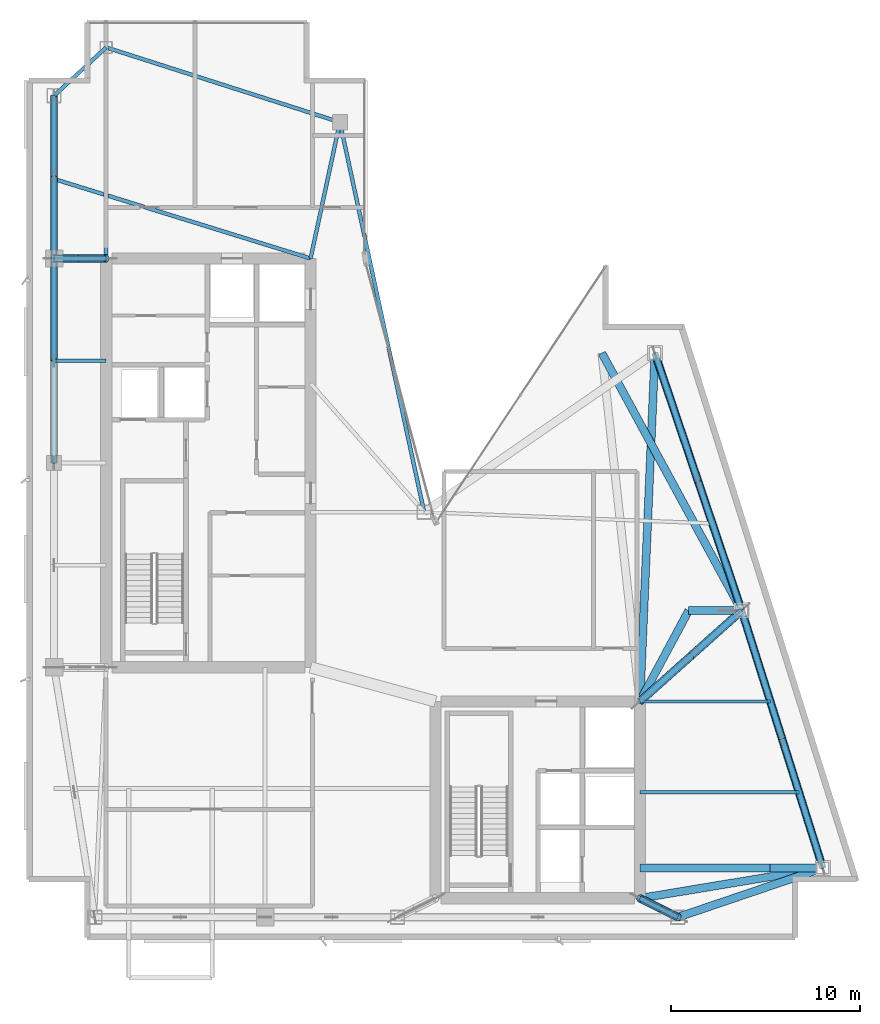
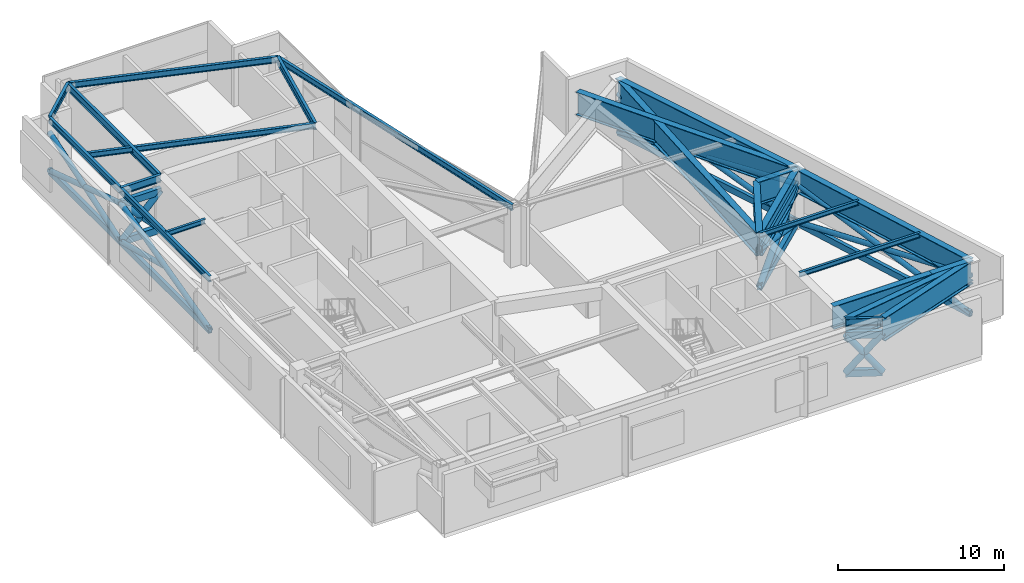
# One storey, part 5 of 15: 30 members, 24 beams.
"""IFC4 building model written with IfcOpenShell, lengths in metres."""

from ifc_helpers import new_model, si_unit, direction, frame, origin, origin_2d, place, context, subcontext, project, spatial, hollow_rectangle, hollow_circle, i_section, extrude, material, material_profile, profile_set, type_object, element, save


model = new_model("IFC4")

# Units and contexts
model_context = context("Model", 3, precision=1e-05, world=origin(), true_north=direction((0.0, 1.0)))
body_context = subcontext(model_context, "Body", "Model", "MODEL_VIEW")
ifc_project = project(units=[si_unit("LENGTHUNIT", "METRE"), si_unit("AREAUNIT", "SQUARE_METRE"), si_unit("VOLUMEUNIT", "CUBIC_METRE"), si_unit("PLANEANGLEUNIT", "RADIAN"), si_unit("MASSUNIT", "GRAM", prefix="KILO")], contexts=[model_context])

# Site, building, storey
site_placement = place(None, origin())
site = spatial("IfcSite", under=ifc_project, at=site_placement, CompositionType="ELEMENT")
building_placement = place(site_placement, origin())
building = spatial("IfcBuilding", under=site, at=building_placement, Name="Calvorn Quay Hotel", CompositionType="ELEMENT")
storey_placement = place(building_placement, frame((0.0, 0.0, 282.5)))
storey = spatial("IfcBuildingStorey", under=building, at=storey_placement, Name="L70", CompositionType="ELEMENT", Elevation=282.5)

# Beams
ifc_material_1 = material(Name="Steel Q355B", Category="steel")
ifc_material_profile_1 = material_profile(ifc_material_1, i_section(OverallWidth=0.199951171875, OverallDepth=0.550048828125, WebThickness=0.010009765625, FlangeThickness=0.01611328125, FilletRadius=0.01806640625, at=origin_2d()), Name="HN550x200x10x16")
ifc_profile_set_1 = profile_set([ifc_material_profile_1], Name="Steel Q355B")
beam_type_1 = type_object("IfcBeamType", Name="BM-GIRD-UPP", PredefinedType="BEAM", material=ifc_profile_set_1)
beam_1_placement = place(storey_placement, frame((1.449951171875, 38.39990234375, 4.074951171875), z_axis=(1.0, 0.0, 0.0), x_axis=(0.0, 1.0, 0.0)))
element("IfcBeam", 1, at=beam_1_placement, inside=storey, type_object=beam_type_1, Name="Beam BG-L70-W3", PredefinedType="BEAM", context=body_context, shape_type="SweptSolid", body=[
    extrude(i_section(OverallWidth=0.199951171875, OverallDepth=0.550048828125, WebThickness=0.010009765625, FlangeThickness=0.01611328125, FilletRadius=0.01806640625, at=origin_2d()), origin(), (0.0, 0.0, 1.0), 2.75),
])
beam_2_placement = place(storey_placement, frame((4.199951171875, 49.550048828125, 4.074951171875), z_axis=(0.0, -1.0, 0.0), x_axis=(1.0, 0.0, 0.0)))
element("IfcBeam", 2, at=beam_2_placement, inside=storey, type_object=beam_type_1, Name="Beam BG-L70-W5", PredefinedType="BEAM", context=body_context, shape_type="SweptSolid", body=[
    extrude(i_section(OverallWidth=0.199951171875, OverallDepth=0.550048828125, WebThickness=0.010009765625, FlangeThickness=0.01611328125, FilletRadius=0.01806640625, at=origin_2d()), origin(), (0.0, 0.0, 1.0), 11.150146484375),
])
beam_3_placement = place(storey_placement, frame((16.550048828125, 45.60009765625, 4.074951171875), z_axis=(-0.210457140491, -0.97760308511, 0.0), x_axis=(0.97760308511, -0.210457140491, 0.0)))
element("IfcBeam", 3, at=beam_3_placement, inside=storey, type_object=beam_type_1, Name="Beam BG-L70-W6", PredefinedType="BEAM", context=body_context, shape_type="SweptSolid", body=[
    extrude(i_section(OverallWidth=0.199951171875, OverallDepth=0.550048828125, WebThickness=0.010009765625, FlangeThickness=0.01611328125, FilletRadius=0.01806640625, at=origin_2d()), origin(), (0.0, 0.0, 1.0), 7.365234375),
])
beam_4_placement = place(storey_placement, frame((34.39990234375, 3.60009765625, 4.074951171875), z_axis=(-0.894427191, 0.4472135955, 0.0), x_axis=(-0.4472135955, -0.894427191, 0.0)))
element("IfcBeam", 4, at=beam_4_placement, inside=storey, type_object=beam_type_1, Name="Beam BG-L70-S3", PredefinedType="BEAM", context=body_context, shape_type="SweptSolid", body=[
    extrude(i_section(OverallWidth=0.199951171875, OverallDepth=0.550048828125, WebThickness=0.010009765625, FlangeThickness=0.01611328125, FilletRadius=0.01806640625, at=origin_2d()), origin(), (0.0, 0.0, 1.0), 2.236083984375),
])
ifc_material_2 = material(Name="Steel Q355B", Category="steel")
ifc_material_profile_2 = material_profile(ifc_material_2, i_section(OverallWidth=0.175048828125, OverallDepth=0.35009765625, WebThickness=0.007080078125, FlangeThickness=0.010986328125, FilletRadius=0.013916015625, at=origin_2d()), Name="HN350x175x7x11")
ifc_profile_set_2 = profile_set([ifc_material_profile_2], Name="Steel Q355B")
beam_type_2 = type_object("IfcBeamType", Name="BM-JOIST-SEC", PredefinedType="JOIST", material=ifc_profile_set_2)
beam_5_placement = place(storey_placement, frame((1.449951171875, 33.0, 4.175048828125), z_axis=(1.0, 0.0, 0.0), x_axis=(0.0, 1.0, 0.0)))
element("IfcBeam", 5, at=beam_5_placement, inside=storey, type_object=beam_type_2, Name="Beam BJ-L70-W4", PredefinedType="JOIST", context=body_context, shape_type="SweptSolid", body=[
    extrude(i_section(OverallWidth=0.175048828125, OverallDepth=0.35009765625, WebThickness=0.007080078125, FlangeThickness=0.010986328125, FilletRadius=0.013916015625, at=origin_2d()), origin(), (0.0, 0.0, 1.0), 2.75),
])
beam_6_placement = place(storey_placement, frame((32.39990234375, 10.199951171875, 4.175048828125), z_axis=(1.0, 0.0, 0.0), x_axis=(0.0, 1.0, 0.0)))
element("IfcBeam", 6, at=beam_6_placement, inside=storey, type_object=beam_type_2, Name="Beam BJ-L70-E1", PredefinedType="JOIST", context=body_context, shape_type="SweptSolid", body=[
    extrude(i_section(OverallWidth=0.175048828125, OverallDepth=0.35009765625, WebThickness=0.007080078125, FlangeThickness=0.010986328125, FilletRadius=0.013916015625, at=origin_2d()), origin(), (0.0, 0.0, 1.0), 8.401123046875),
])
beam_7_placement = place(storey_placement, frame((32.39990234375, 15.0, 4.175048828125), z_axis=(1.0, 0.0, 0.0), x_axis=(0.0, 1.0, 0.0)))
element("IfcBeam", 7, at=beam_7_placement, inside=storey, type_object=beam_type_2, Name="Beam BJ-L70-E2", PredefinedType="JOIST", context=body_context, shape_type="SweptSolid", body=[
    extrude(i_section(OverallWidth=0.175048828125, OverallDepth=0.35009765625, WebThickness=0.007080078125, FlangeThickness=0.010986328125, FilletRadius=0.013916015625, at=origin_2d()), origin(), (0.0, 0.0, 1.0), 6.88818359375),
])
ifc_material_3 = material(Name="Steel Q355B", Category="steel")
ifc_material_profile_3 = material_profile(ifc_material_3, i_section(OverallWidth=0.199951171875, OverallDepth=0.39990234375, WebThickness=0.008056640625, FlangeThickness=0.012939453125, FilletRadius=0.01611328125, at=origin_2d()), Name="HN400x200x8x13")
ifc_profile_set_3 = profile_set([ifc_material_profile_3], Name="Steel Q355B")
beam_type_3 = type_object("IfcBeamType", Name="BM-JOIST-TYP", PredefinedType="JOIST", material=ifc_profile_set_3)
beam_8_placement = place(storey_placement, frame((1.449951171875, 42.60009765625, 4.14990234375), z_axis=(0.955163702122, -0.296078202759, 0.0), x_axis=(0.296078202759, 0.955163702122, 0.0)))
element("IfcBeam", 8, at=beam_8_placement, inside=storey, type_object=beam_type_3, Name="Beam BJ-L70-W2", PredefinedType="JOIST", context=body_context, shape_type="SweptSolid", body=[
    extrude(i_section(OverallWidth=0.199951171875, OverallDepth=0.39990234375, WebThickness=0.008056640625, FlangeThickness=0.012939453125, FilletRadius=0.01611328125, at=origin_2d()), origin(), (0.0, 0.0, 1.0), 14.18603515625),
])
ifc_material_4 = material(Name="Steel Q355B", Category="steel")
ifc_material_profile_4 = material_profile(ifc_material_4, i_section(OverallWidth=0.199951171875, OverallDepth=0.449951171875, WebThickness=0.009033203125, FlangeThickness=0.013916015625, FilletRadius=0.01611328125, at=origin_2d()), Name="HN450x200x9x14")
ifc_profile_set_4 = profile_set([ifc_material_profile_4], Name="Steel Q355B")
beam_type_4 = type_object("IfcBeamType", Name="BM-SPANDREL-Z3", PredefinedType="SPANDREL", material=ifc_profile_set_4)
beam_9_placement = place(storey_placement, frame((1.449951171875, 27.60009765625, 4.125), z_axis=(0.0, 1.0, 0.0), x_axis=(-1.0, 0.0, 0.0)))
element("IfcBeam", 9, at=beam_9_placement, inside=storey, type_object=beam_type_4, Name="Beam BSP-L70-W3", PredefinedType="SPANDREL", context=body_context, shape_type="SweptSolid", body=[
    extrude(i_section(OverallWidth=0.199951171875, OverallDepth=0.449951171875, WebThickness=0.009033203125, FlangeThickness=0.013916015625, FilletRadius=0.01611328125, at=origin_2d()), origin(), (0.0, 0.0, 1.0), 10.7998046875),
])
beam_10_placement = place(storey_placement, frame((1.449951171875, 38.39990234375, 4.125), z_axis=(0.0, 1.0, 0.0), x_axis=(-1.0, 0.0, 0.0)))
element("IfcBeam", 10, at=beam_10_placement, inside=storey, type_object=beam_type_4, Name="Beam BSP-L70-W4", PredefinedType="SPANDREL", context=body_context, shape_type="SweptSolid", body=[
    extrude(i_section(OverallWidth=0.199951171875, OverallDepth=0.449951171875, WebThickness=0.009033203125, FlangeThickness=0.013916015625, FilletRadius=0.01611328125, at=origin_2d()), origin(), (0.0, 0.0, 1.0), 8.60009765625),
])
beam_11_placement = place(storey_placement, frame((1.449951171875, 47.0, 4.125), z_axis=(0.733261665538, 0.679946563969, 0.0), x_axis=(-0.679946563969, 0.733261665538, 0.0)))
element("IfcBeam", 11, at=beam_11_placement, inside=storey, type_object=beam_type_4, Name="Beam BSP-L70-W5", PredefinedType="SPANDREL", context=body_context, shape_type="SweptSolid", body=[
    extrude(i_section(OverallWidth=0.199951171875, OverallDepth=0.449951171875, WebThickness=0.009033203125, FlangeThickness=0.013916015625, FilletRadius=0.01611328125, at=origin_2d()), origin(), (0.0, 0.0, 1.0), 3.75048828125),
])
beam_12_placement = place(storey_placement, frame((4.199951171875, 49.550048828125, 4.125), z_axis=(0.952470702374, -0.304630203885, 0.0), x_axis=(0.304630203885, 0.952470702374, 0.0)))
element("IfcBeam", 12, at=beam_12_placement, inside=storey, type_object=beam_type_4, Name="Beam BSP-L70-W6", PredefinedType="SPANDREL", context=body_context, shape_type="SweptSolid", body=[
    extrude(i_section(OverallWidth=0.199951171875, OverallDepth=0.449951171875, WebThickness=0.009033203125, FlangeThickness=0.013916015625, FilletRadius=0.01611328125, at=origin_2d()), origin(), (0.0, 0.0, 1.0), 12.96630859375),
])
beam_13_placement = place(storey_placement, frame((16.550048828125, 45.60009765625, 4.125), z_axis=(0.211145848376, -0.977454567084, 0.0), x_axis=(0.977454567084, 0.211145848376, 0.0)))
element("IfcBeam", 13, at=beam_13_placement, inside=storey, type_object=beam_type_4, Name="Beam BSP-L70-W7", PredefinedType="SPANDREL", context=body_context, shape_type="SweptSolid", body=[
    extrude(i_section(OverallWidth=0.199951171875, OverallDepth=0.449951171875, WebThickness=0.009033203125, FlangeThickness=0.013916015625, FilletRadius=0.01611328125, at=origin_2d()), origin(), (0.0, 0.0, 1.0), 21.0751953125),
])
ifc_material_5 = material(Name="Steel Q420GJC", Category="steel")
ifc_material_profile_5 = material_profile(ifc_material_5, i_section(OverallWidth=0.419921875, OverallDepth=1.699951171875, WebThickness=0.02392578125, FlangeThickness=0.0419921875, FilletRadius=0.02392578125, at=origin_2d()), Name="HN1700x420x24x42")
ifc_profile_set_5 = profile_set([ifc_material_profile_5], Name="Steel Q420GJC")
beam_type_5 = type_object("IfcBeamType", Name="BM-XFER-SAWTOOTH", PredefinedType="BEAM", material=ifc_profile_set_5)
beam_14_placement = place(storey_placement, frame((32.39990234375, 6.199951171875, 3.5), z_axis=(1.0, 0.0, 0.0), x_axis=(0.0, 1.0, 0.0)))
element("IfcBeam", 14, at=beam_14_placement, inside=storey, type_object=beam_type_5, Name="Beam BTG-L70-C-ET1A", PredefinedType="BEAM", context=body_context, shape_type="SweptSolid", body=[
    extrude(i_section(OverallWidth=0.419921875, OverallDepth=1.699951171875, WebThickness=0.02392578125, FlangeThickness=0.0419921875, FilletRadius=0.02392578125, at=origin_2d()), origin(), (0.0, 0.0, 1.0), 6.861083984375),
])
beam_15_placement = place(storey_placement, frame((39.260986328125, 6.199951171875, 3.5), z_axis=(1.0, 0.0, 0.0), x_axis=(0.0, 1.0, 0.0)))
element("IfcBeam", 15, at=beam_15_placement, inside=storey, type_object=beam_type_5, Name="Beam BTG-L70-C-ET1B", PredefinedType="BEAM", context=body_context, shape_type="SweptSolid", body=[
    extrude(i_section(OverallWidth=0.419921875, OverallDepth=1.699951171875, WebThickness=0.02392578125, FlangeThickness=0.0419921875, FilletRadius=0.02392578125, at=origin_2d()), origin(), (0.0, 0.0, 1.0), 2.800048828125),
])
beam_16_placement = place(storey_placement, frame((32.39990234375, 15.0, 3.5), z_axis=(0.472894086188, 0.881119278672, 0.0), x_axis=(-0.881119278672, 0.472894086188, 0.0)))
element("IfcBeam", 16, at=beam_16_placement, inside=storey, type_object=beam_type_5, Name="Beam BTG-L70-C-ET2A", PredefinedType="BEAM", context=body_context, shape_type="SweptSolid", body=[
    extrude(i_section(OverallWidth=0.419921875, OverallDepth=1.699951171875, WebThickness=0.02392578125, FlangeThickness=0.0419921875, FilletRadius=0.02392578125, at=origin_2d()), origin(), (0.0, 0.0, 1.0), 5.44775390625),
])
beam_17_placement = place(storey_placement, frame((34.97607421875, 19.800048828125, 3.5), z_axis=(1.0, 0.0, 0.0), x_axis=(0.0, 1.0, 0.0)))
element("IfcBeam", 17, at=beam_17_placement, inside=storey, type_object=beam_type_5, Name="Beam BTG-L70-C-ET2B", PredefinedType="BEAM", context=body_context, shape_type="SweptSolid", body=[
    extrude(i_section(OverallWidth=0.419921875, OverallDepth=1.699951171875, WebThickness=0.02392578125, FlangeThickness=0.0419921875, FilletRadius=0.02392578125, at=origin_2d()), origin(), (0.0, 0.0, 1.0), 2.7998046875),
])
beam_18_placement = place(storey_placement, frame((30.39111328125, 33.39990234375, 3.5), z_axis=(0.477191081269, -0.878799563016, 0.0), x_axis=(0.878799563016, 0.477191081269, 0.0)))
element("IfcBeam", 18, at=beam_18_placement, inside=storey, type_object=beam_type_5, Name="Beam BTG-L70-C-ET3B", PredefinedType="BEAM", context=body_context, shape_type="SweptSolid", body=[
    extrude(i_section(OverallWidth=0.419921875, OverallDepth=1.699951171875, WebThickness=0.02392578125, FlangeThickness=0.0419921875, FilletRadius=0.02392578125, at=origin_2d()), origin(), (0.0, 0.0, 1.0), 15.4755859375),
])
beam_19_placement = place(storey_placement, frame((34.39990234375, 3.60009765625, 3.5), z_axis=(0.946958367473, 0.321356266897, 0.0), x_axis=(-0.321356266897, 0.946958367473, 0.0)))
element("IfcBeam", 19, at=beam_19_placement, inside=storey, type_object=beam_type_5, Name="Beam BSP-L70-S4", PredefinedType="BEAM", context=body_context, shape_type="SweptSolid", body=[
    extrude(i_section(OverallWidth=0.419921875, OverallDepth=1.699951171875, WebThickness=0.02392578125, FlangeThickness=0.0419921875, FilletRadius=0.02392578125, at=origin_2d()), origin(), (0.0, 0.0, 1.0), 8.09033203125),
])
beam_20_placement = place(storey_placement, frame((42.06103515625, 6.199951171875, 3.5), z_axis=(-0.300518378216, 0.953776024208, 0.0), x_axis=(-0.953776024208, -0.300518378216, 0.0)))
element("IfcBeam", 20, at=beam_20_placement, inside=storey, type_object=beam_type_5, Name="Beam BSP-L70-E1", PredefinedType="BEAM", context=body_context, shape_type="SweptSolid", body=[
    extrude(i_section(OverallWidth=0.419921875, OverallDepth=1.699951171875, WebThickness=0.02392578125, FlangeThickness=0.0419921875, FilletRadius=0.02392578125, at=origin_2d()), origin(), (0.0, 0.0, 1.0), 14.25927734375),
])
beam_21_placement = place(storey_placement, frame((37.77587890625, 19.800048828125, 3.5), z_axis=(-0.319466515944, 0.947597564998, 0.0), x_axis=(-0.947597564998, -0.319466515944, 0.0)))
element("IfcBeam", 21, at=beam_21_placement, inside=storey, type_object=beam_type_5, Name="Beam BSP-L70-E2", PredefinedType="BEAM", context=body_context, shape_type="SweptSolid", body=[
    extrude(i_section(OverallWidth=0.419921875, OverallDepth=1.699951171875, WebThickness=0.02392578125, FlangeThickness=0.0419921875, FilletRadius=0.02392578125, at=origin_2d()), origin(), (0.0, 0.0, 1.0), 14.35205078125),
])
beam_22_placement = place(storey_placement, frame((32.39990234375, 4.60009765625, 3.5), z_axis=(0.986564536395, 0.163372015743, 0.0), x_axis=(-0.163372015743, 0.986564536395, 0.0)))
element("IfcBeam", 22, at=beam_22_placement, inside=storey, type_object=beam_type_5, Name="Beam BTG-L70-01", PredefinedType="BEAM", context=body_context, shape_type="SweptSolid", body=[
    extrude(i_section(OverallWidth=0.419921875, OverallDepth=1.699951171875, WebThickness=0.02392578125, FlangeThickness=0.0419921875, FilletRadius=0.02392578125, at=origin_2d()), origin(), (0.0, 0.0, 1.0), 9.792724609375),
])
beam_23_placement = place(storey_placement, frame((32.39990234375, 15.0, 3.5), z_axis=(0.745932853197, 0.66602115471, 0.0), x_axis=(-0.66602115471, 0.745932853197, 0.0)))
element("IfcBeam", 23, at=beam_23_placement, inside=storey, type_object=beam_type_5, Name="Beam BTG-L70-02", PredefinedType="BEAM", context=body_context, shape_type="SweptSolid", body=[
    extrude(i_section(OverallWidth=0.419921875, OverallDepth=1.699951171875, WebThickness=0.02392578125, FlangeThickness=0.0419921875, FilletRadius=0.02392578125, at=origin_2d()), origin(), (0.0, 0.0, 1.0), 7.20703125),
])
beam_24_placement = place(storey_placement, frame((32.39990234375, 15.0, 3.5), z_axis=(0.042950536419, 0.999077199931, 0.0), x_axis=(-0.999077199931, 0.042950536419, 0.0)))
element("IfcBeam", 24, at=beam_24_placement, inside=storey, type_object=beam_type_5, Name="Beam BTG-L70-03", PredefinedType="BEAM", context=body_context, shape_type="SweptSolid", body=[
    extrude(i_section(OverallWidth=0.419921875, OverallDepth=1.699951171875, WebThickness=0.02392578125, FlangeThickness=0.0419921875, FilletRadius=0.02392578125, at=origin_2d()), origin(), (0.0, 0.0, 1.0), 18.4169921875),
])

# Members
ifc_material_6 = material(Name="Steel Q390GJC", Category="steel")
ifc_material_profile_6 = material_profile(ifc_material_6, hollow_rectangle(XDim=0.25, YDim=0.449951171875, WallThickness=0.01611328125, at=origin_2d()), Name="RHS450x250x16")
ifc_profile_set_6 = profile_set([ifc_material_profile_6], Name="Steel Q390GJC")
member_type_1 = type_object("IfcMemberType", Name="MEM-BELT-CHORD", PredefinedType="CHORD", material=ifc_profile_set_6)
member_1_placement = place(storey_placement, frame((1.449951171875, 27.60009765625, 0.35009765625), z_axis=(0.0, 1.0, 0.0), x_axis=(-1.0, 0.0, 0.0)))
element("IfcMember", 25, at=member_1_placement, inside=storey, type_object=member_type_1, Name="Belt Truss Chord L70-BW3", PredefinedType="CHORD", context=body_context, shape_type="SweptSolid", body=[
    extrude(hollow_rectangle(XDim=0.25, YDim=0.449951171875, WallThickness=0.01611328125, at=origin_2d()), origin(), (0.0, 0.0, 1.0), 10.7998046875),
])
member_2_placement = place(storey_placement, frame((1.449951171875, 38.39990234375, 0.35009765625), z_axis=(0.0, 1.0, 0.0), x_axis=(-1.0, 0.0, 0.0)))
element("IfcMember", 26, at=member_2_placement, inside=storey, type_object=member_type_1, Name="Belt Truss Chord L70-BW4", PredefinedType="CHORD", context=body_context, shape_type="SweptSolid", body=[
    extrude(hollow_rectangle(XDim=0.25, YDim=0.449951171875, WallThickness=0.01611328125, at=origin_2d()), origin(), (0.0, 0.0, 1.0), 8.60009765625),
])
member_3_placement = place(storey_placement, frame((42.06103515625, 6.199951171875, 0.35009765625), z_axis=(-0.300518378216, 0.953776024208, 0.0), x_axis=(-0.953776024208, -0.300518378216, 0.0)))
element("IfcMember", 27, at=member_3_placement, inside=storey, type_object=member_type_1, Name="Belt Truss Chord L70-BE1", PredefinedType="CHORD", context=body_context, shape_type="SweptSolid", body=[
    extrude(hollow_rectangle(XDim=0.25, YDim=0.449951171875, WallThickness=0.01611328125, at=origin_2d()), origin(), (0.0, 0.0, 1.0), 14.25927734375),
])
member_4_placement = place(storey_placement, frame((37.77587890625, 19.800048828125, 0.35009765625), z_axis=(-0.319466515944, 0.947597564998, 0.0), x_axis=(-0.947597564998, -0.319466515944, 0.0)))
element("IfcMember", 28, at=member_4_placement, inside=storey, type_object=member_type_1, Name="Belt Truss Chord L70-BE2", PredefinedType="CHORD", context=body_context, shape_type="SweptSolid", body=[
    extrude(hollow_rectangle(XDim=0.25, YDim=0.449951171875, WallThickness=0.01611328125, at=origin_2d()), origin(), (0.0, 0.0, 1.0), 14.35205078125),
])
ifc_material_7 = material(Name="Steel Q390GJC", Category="steel")
ifc_material_profile_7 = material_profile(ifc_material_7, hollow_circle(Radius=0.177978515625, WallThickness=0.013916015625, at=origin_2d()), Name="CHS356x14")
ifc_profile_set_7 = profile_set([ifc_material_profile_7], Name="Steel Q390GJC")
member_type_2 = type_object("IfcMemberType", Name="MEM-BELT-DIAG", PredefinedType="BRACE", material=ifc_profile_set_7)
member_5_placement = place(storey_placement, frame((1.449951171875, 27.60009765625, 0.35009765625), z_axis=(0.0, 0.968000048288, 0.250950007997), x_axis=(-1.0, 0.0, 0.0)))
element("IfcMember", 29, at=member_5_placement, inside=storey, type_object=member_type_2, Name="Belt Truss Continuous Brace L70-BW3A", PredefinedType="BRACE", context=body_context, shape_type="SweptSolid", body=[
    extrude(hollow_circle(Radius=0.177978515625, WallThickness=0.013916015625, at=origin_2d()), origin(), (0.0, 0.0, 1.0), 11.15673828125),
])
member_6_placement = place(storey_placement, frame((1.449951171875, 33.0, 1.75), z_axis=(0.0, 0.968000048288, -0.250950007997), x_axis=(-1.0, 0.0, 0.0)))
element("IfcMember", 30, at=member_6_placement, inside=storey, type_object=member_type_2, Name="Belt Truss Split Brace B2 L70-BW3", PredefinedType="BRACE", context=body_context, shape_type="SweptSolid", body=[
    extrude(hollow_circle(Radius=0.177978515625, WallThickness=0.013916015625, at=origin_2d()), origin(), (0.0, 0.0, 1.0), 5.578369140625),
])
member_7_placement = place(storey_placement, frame((1.449951171875, 38.39990234375, 0.35009765625), z_axis=(0.0, 0.950878823124, 0.309563343655), x_axis=(-1.0, 0.0, 0.0)))
element("IfcMember", 31, at=member_7_placement, inside=storey, type_object=member_type_2, Name="Belt Truss Continuous Brace L70-BW4A", PredefinedType="BRACE", context=body_context, shape_type="SweptSolid", body=[
    extrude(hollow_circle(Radius=0.177978515625, WallThickness=0.013916015625, at=origin_2d()), origin(), (0.0, 0.0, 1.0), 9.04443359375),
])
for number, where, z_axis, x_axis, name in (
    (32, (1.449951171875, 38.39990234375, 3.14990234375), (0.0, 0.950878823124, -0.309563343655), (-1.0, 0.0, 0.0), "Belt Truss Split Brace B1 L70-BW4"),
    (33, (1.449951171875, 42.699951171875, 1.75), (0.0, 0.950878823124, -0.309563343655), (-1.0, 0.0, 0.0), "Belt Truss Split Brace B2 L70-BW4"),
):
    element("IfcMember", number, at=place(storey_placement, frame(where, z_axis=z_axis, x_axis=x_axis)), inside=storey, type_object=member_type_2, Name=name, PredefinedType="BRACE", context=body_context, shape_type="SweptSolid", body=[
        extrude(hollow_circle(Radius=0.177978515625, WallThickness=0.013916015625, at=origin_2d()), origin(), (0.0, 0.0, 1.0), 4.522216796875),
    ])
member_8_placement = place(storey_placement, frame((42.06103515625, 6.199951171875, 0.35009765625), z_axis=(-0.294887655075, 0.935905407565, 0.192671583204), x_axis=(-0.953776024208, -0.300518378216, 0.0)))
element("IfcMember", 34, at=member_8_placement, inside=storey, type_object=member_type_2, Name="Belt Truss Continuous Brace L70-BE1A", PredefinedType="BRACE", context=body_context, shape_type="SweptSolid", body=[
    extrude(hollow_circle(Radius=0.177978515625, WallThickness=0.013916015625, at=origin_2d()), origin(), (0.0, 0.0, 1.0), 14.531494140625),
])
member_9_placement = place(storey_placement, frame((42.06103515625, 6.199951171875, 3.14990234375), z_axis=(-0.294826293953, 0.93592395321, -0.192675401131), x_axis=(-0.953795652648, -0.300456074977, 0.0)))
element("IfcMember", 35, at=member_9_placement, inside=storey, type_object=member_type_2, Name="Belt Truss Split Brace B1 L70-BE1", PredefinedType="BRACE", context=body_context, shape_type="SweptSolid", body=[
    extrude(hollow_circle(Radius=0.177978515625, WallThickness=0.013916015625, at=origin_2d()), origin(), (0.0, 0.0, 1.0), 7.265625),
])
member_10_placement = place(storey_placement, frame((39.9189453125, 13.0, 1.75), z_axis=(-0.294949012549, 0.935886858796, -0.192667764634), x_axis=(-0.953756392507, -0.300580677608, 0.0)))
element("IfcMember", 36, at=member_10_placement, inside=storey, type_object=member_type_2, Name="Belt Truss Split Brace B2 L70-BE1", PredefinedType="BRACE", context=body_context, shape_type="SweptSolid", body=[
    extrude(hollow_circle(Radius=0.177978515625, WallThickness=0.013916015625, at=origin_2d()), origin(), (0.0, 0.0, 1.0), 7.265869140625),
])
member_11_placement = place(storey_placement, frame((37.77587890625, 19.800048828125, 0.35009765625), z_axis=(-0.313555727851, 0.930065059634, 0.191472688338), x_axis=(-0.947597564998, -0.319466515944, 0.0)))
element("IfcMember", 37, at=member_11_placement, inside=storey, type_object=member_type_2, Name="Belt Truss Continuous Brace L70-BE2A", PredefinedType="BRACE", context=body_context, shape_type="SweptSolid", body=[
    extrude(hollow_circle(Radius=0.177978515625, WallThickness=0.013916015625, at=origin_2d()), origin(), (0.0, 0.0, 1.0), 14.62255859375),
])
for number, where, z_axis, x_axis, name in (
    (38, (37.77587890625, 19.800048828125, 3.14990234375), (-0.313490638761, 0.930086787539, -0.191473724186), (-0.947619897594, -0.319400265631, 0.0), "Belt Truss Split Brace B1 L70-BE2"),
    (39, (35.48388671875, 26.60009765625, 1.75), (-0.313620814759, 0.930043327584, -0.1914716516), (-0.947575228022, -0.319532763952, 0.0), "Belt Truss Split Brace B2 L70-BE2"),
):
    element("IfcMember", number, at=place(storey_placement, frame(where, z_axis=z_axis, x_axis=x_axis)), inside=storey, type_object=member_type_2, Name=name, PredefinedType="BRACE", context=body_context, shape_type="SweptSolid", body=[
        extrude(hollow_circle(Radius=0.177978515625, WallThickness=0.013916015625, at=origin_2d()), origin(), (0.0, 0.0, 1.0), 7.311279296875),
    ])
ifc_material_8 = material(Name="Steel Q390GJC", Category="steel")
ifc_material_profile_8 = material_profile(ifc_material_8, hollow_rectangle(XDim=0.300048828125, YDim=0.5, WallThickness=0.02001953125, at=origin_2d()), Name="RHS500x300x20")
ifc_profile_set_8 = profile_set([ifc_material_profile_8], Name="Steel Q390GJC")
member_type_3 = type_object("IfcMemberType", Name="MEM-OUTRIGGER-CHORD", PredefinedType="CHORD", material=ifc_profile_set_8)
for number, where, z_axis, x_axis, name in (
    (40, (4.199951171875, 38.39990234375, 3.14990234375), (-1.0, 0.0, 0.0), (0.0, -1.0, 0.0), "Outrigger Top Chord L70-OW2"),
    (41, (4.199951171875, 38.39990234375, 0.35009765625), (-1.0, 0.0, 0.0), (0.0, -1.0, 0.0), "Outrigger Bottom Chord L70-OW2"),
):
    element("IfcMember", number, at=place(storey_placement, frame(where, z_axis=z_axis, x_axis=x_axis)), inside=storey, type_object=member_type_3, Name=name, PredefinedType="CHORD", context=body_context, shape_type="SweptSolid", body=[
        extrude(hollow_rectangle(XDim=0.300048828125, YDim=0.5, WallThickness=0.02001953125, at=origin_2d()), origin(), (0.0, 0.0, 1.0), 2.75),
    ])
for number, where, z_axis, x_axis, name in (
    (42, (32.39990234375, 4.60009765625, 3.14990234375), (0.894427191, -0.4472135955, 0.0), (0.4472135955, 0.894427191, 0.0), "Outrigger Top Chord L70-OE2"),
    (43, (32.39990234375, 4.60009765625, 0.35009765625), (0.894427191, -0.4472135955, 0.0), (0.4472135955, 0.894427191, 0.0), "Outrigger Bottom Chord L70-OE2"),
):
    element("IfcMember", number, at=place(storey_placement, frame(where, z_axis=z_axis, x_axis=x_axis)), inside=storey, type_object=member_type_3, Name=name, PredefinedType="CHORD", context=body_context, shape_type="SweptSolid", body=[
        extrude(hollow_rectangle(XDim=0.300048828125, YDim=0.5, WallThickness=0.02001953125, at=origin_2d()), origin(), (0.0, 0.0, 1.0), 2.236083984375),
    ])
for number, where, z_axis, x_axis, name in (
    (44, (32.39990234375, 15.0, 3.14990234375), (0.745932853197, 0.66602115471, 0.0), (-0.66602115471, 0.745932853197, 0.0), "Outrigger Top Chord L70-OE3"),
    (45, (32.39990234375, 15.0, 0.35009765625), (0.745932853197, 0.66602115471, 0.0), (-0.66602115471, 0.745932853197, 0.0), "Outrigger Bottom Chord L70-OE3"),
):
    element("IfcMember", number, at=place(storey_placement, frame(where, z_axis=z_axis, x_axis=x_axis)), inside=storey, type_object=member_type_3, Name=name, PredefinedType="CHORD", context=body_context, shape_type="SweptSolid", body=[
        extrude(hollow_rectangle(XDim=0.300048828125, YDim=0.5, WallThickness=0.02001953125, at=origin_2d()), origin(), (0.0, 0.0, 1.0), 7.20703125),
    ])
ifc_material_9 = material(Name="Steel Q390GJC", Category="steel")
ifc_material_profile_9 = material_profile(ifc_material_9, hollow_circle(Radius=0.212890625, WallThickness=0.01611328125, at=origin_2d()), Name="CHS426x16")
ifc_profile_set_9 = profile_set([ifc_material_profile_9], Name="Steel Q390GJC")
member_type_4 = type_object("IfcMemberType", Name="MEM-OUTRIGGER-DIAG2", PredefinedType="BRACE", material=ifc_profile_set_9)
member_12_placement = place(storey_placement, frame((4.199951171875, 38.39990234375, 0.35009765625), z_axis=(-0.7007328944, 0.0, 0.713423724519), x_axis=(0.0, -1.0, 0.0)))
element("IfcMember", 46, at=member_12_placement, inside=storey, type_object=member_type_4, Name="Outrigger Continuous Diagonal L70-OW2", PredefinedType="BRACE", context=body_context, shape_type="SweptSolid", body=[
    extrude(hollow_circle(Radius=0.212890625, WallThickness=0.01611328125, at=origin_2d()), origin(), (0.0, 0.0, 1.0), 3.924560546875),
])
for number, where, z_axis, x_axis, name in (
    (47, (4.199951171875, 38.39990234375, 3.14990234375), (-0.7007328944, 0.0, -0.713423724519), (0.0, -1.0, 0.0), "Outrigger Split Diagonal A L70-OW2"),
    (48, (2.824951171875, 38.39990234375, 1.75), (-0.7007328944, 0.0, -0.713423724519), (0.0, -1.0, 0.0), "Outrigger Split Diagonal B L70-OW2"),
):
    element("IfcMember", number, at=place(storey_placement, frame(where, z_axis=z_axis, x_axis=x_axis)), inside=storey, type_object=member_type_4, Name=name, PredefinedType="BRACE", context=body_context, shape_type="SweptSolid", body=[
        extrude(hollow_circle(Radius=0.212890625, WallThickness=0.01611328125, at=origin_2d()), origin(), (0.0, 0.0, 1.0), 1.962158203125),
    ])
member_13_placement = place(storey_placement, frame((32.39990234375, 4.60009765625, 0.35009765625), z_axis=(0.558169345139, -0.279084672569, 0.781382574469), x_axis=(0.4472135955, 0.894427191, 0.0)))
element("IfcMember", 49, at=member_13_placement, inside=storey, type_object=member_type_4, Name="Outrigger Continuous Diagonal L70-OE2", PredefinedType="BRACE", context=body_context, shape_type="SweptSolid", body=[
    extrude(hollow_circle(Radius=0.212890625, WallThickness=0.01611328125, at=origin_2d()), origin(), (0.0, 0.0, 1.0), 3.583251953125),
])
for number, where, z_axis, x_axis, name in (
    (50, (32.39990234375, 4.60009765625, 3.14990234375), (0.558169345139, -0.279084672569, -0.781382574469), (0.4472135955, 0.894427191, 0.0), "Outrigger Split Diagonal A L70-OE2"),
    (51, (33.39990234375, 4.10009765625, 1.75), (0.558169345139, -0.279084672569, -0.781382574469), (0.4472135955, 0.894427191, 0.0), "Outrigger Split Diagonal B L70-OE2"),
):
    element("IfcMember", number, at=place(storey_placement, frame(where, z_axis=z_axis, x_axis=x_axis)), inside=storey, type_object=member_type_4, Name=name, PredefinedType="BRACE", context=body_context, shape_type="SweptSolid", body=[
        extrude(hollow_circle(Radius=0.212890625, WallThickness=0.01611328125, at=origin_2d()), origin(), (0.0, 0.0, 1.0), 1.79150390625),
    ])
member_14_placement = place(storey_placement, frame((32.39990234375, 15.0, 0.35009765625), z_axis=(0.695308596077, 0.620820268278, 0.362116211617), x_axis=(-0.66602115471, 0.745932853197, 0.0)))
element("IfcMember", 52, at=member_14_placement, inside=storey, type_object=member_type_4, Name="Outrigger Continuous Diagonal L70-OE3", PredefinedType="BRACE", context=body_context, shape_type="SweptSolid", body=[
    extrude(hollow_circle(Radius=0.212890625, WallThickness=0.01611328125, at=origin_2d()), origin(), (0.0, 0.0, 1.0), 7.731689453125),
])
member_15_placement = place(storey_placement, frame((32.39990234375, 15.0, 3.14990234375), z_axis=(0.69532222638, 0.620800861518, -0.362123310269), x_axis=(-0.666002305351, 0.745949682799, 0.0)))
element("IfcMember", 53, at=member_15_placement, inside=storey, type_object=member_type_4, Name="Outrigger Split Diagonal A L70-OE3", PredefinedType="BRACE", context=body_context, shape_type="SweptSolid", body=[
    extrude(hollow_circle(Radius=0.212890625, WallThickness=0.01611328125, at=origin_2d()), origin(), (0.0, 0.0, 1.0), 3.86572265625),
])
member_16_placement = place(storey_placement, frame((35.087890625, 17.39990234375, 1.75), z_axis=(0.695294965883, 0.620839673896, -0.362109113022), x_axis=(-0.666040002793, 0.745916023879, 0.0)))
element("IfcMember", 54, at=member_16_placement, inside=storey, type_object=member_type_4, Name="Outrigger Split Diagonal B L70-OE3", PredefinedType="BRACE", context=body_context, shape_type="SweptSolid", body=[
    extrude(hollow_circle(Radius=0.212890625, WallThickness=0.01611328125, at=origin_2d()), origin(), (0.0, 0.0, 1.0), 3.865966796875),
])

save(model, "model.ifc")
